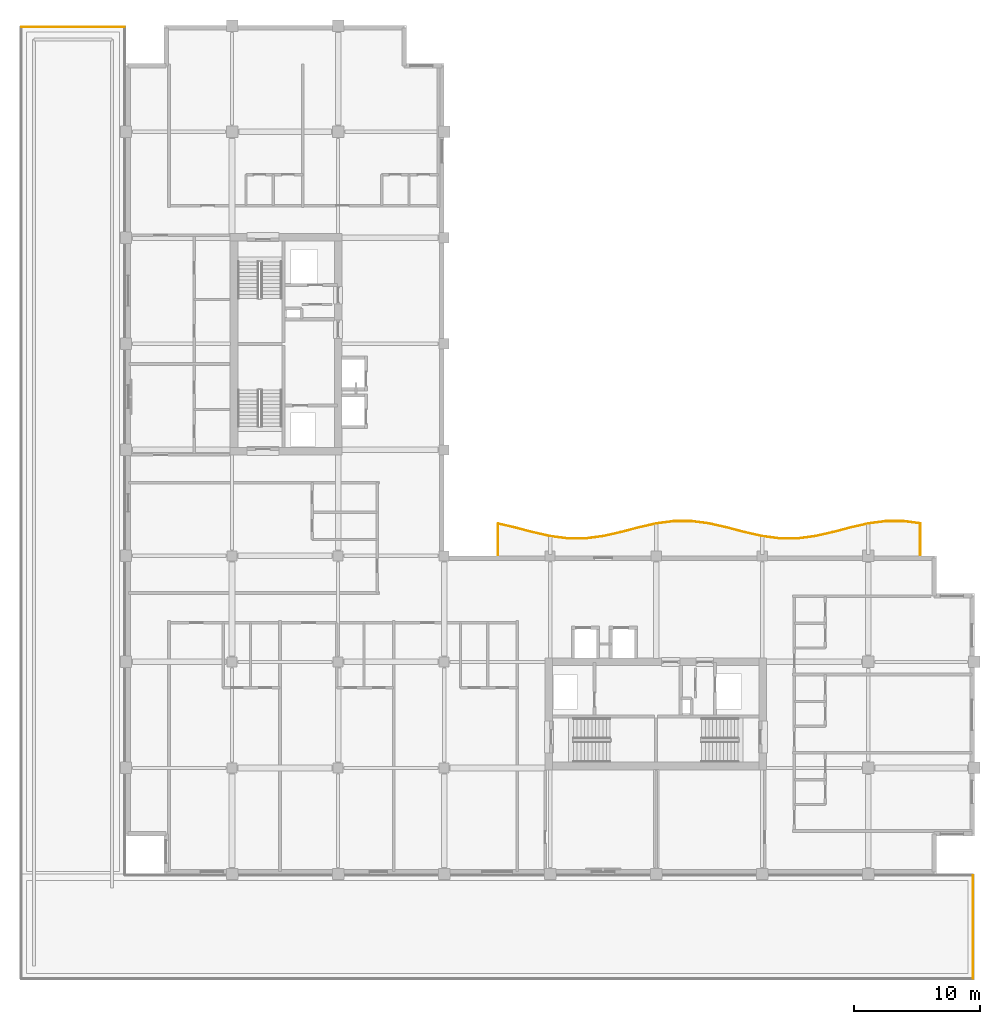
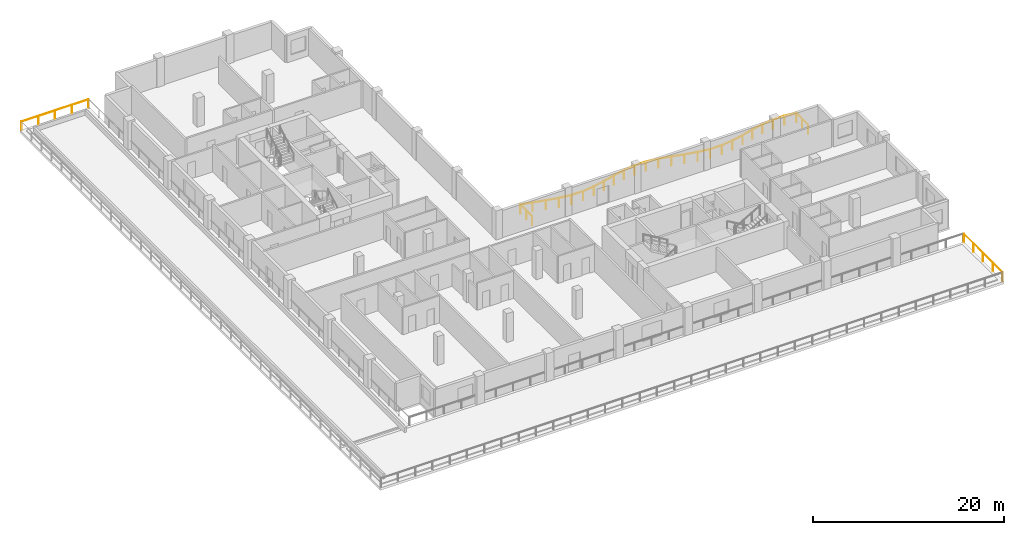
# One storey, part 13 of 13: 3 railings.
"""IFC4 building model written with IfcOpenShell, lengths in metres."""

from ifc_helpers import new_model, si_unit, direction, frame, origin, origin_2d, place, context, subcontext, project, spatial, circle, extrude, material, type_object, element, save


model = new_model("IFC4")

# Units and contexts
model_context = context("Model", 3, precision=1e-05, world=origin(), true_north=direction((0.0, 1.0)))
body_context = subcontext(model_context, "Body", "Model", "MODEL_VIEW")
ifc_project = project(units=[si_unit("LENGTHUNIT", "METRE"), si_unit("AREAUNIT", "SQUARE_METRE"), si_unit("VOLUMEUNIT", "CUBIC_METRE"), si_unit("PLANEANGLEUNIT", "RADIAN"), si_unit("MASSUNIT", "GRAM", prefix="KILO")], contexts=[model_context])

# Site, building, storey
site_placement = place(None, origin())
site = spatial("IfcSite", under=ifc_project, at=site_placement, CompositionType="ELEMENT")
building_placement = place(site_placement, origin())
building = spatial("IfcBuilding", under=site, at=building_placement, Name="Koriwani Terraces Tower", CompositionType="ELEMENT")
storey_placement = place(building_placement, frame((0.0, 0.0, 234.199951171875)))
storey = spatial("IfcBuildingStorey", under=building, at=storey_placement, Name="L57", CompositionType="ELEMENT", Elevation=234.199951171875)

# Railings
ifc_material = material(Name="Steel ASTM A572 Grade 50", Category="steel")
railing_type = type_object("IfcRailingType", Name="GUARD_BALUSTRADE_1150", PredefinedType="BALUSTRADE", material=ifc_material)
railing_1_placement = place(storey_placement, frame((71.320068359375, 33.679931640625, 0.0)))
element("IfcRailing", 1, at=railing_1_placement, inside=storey, type_object=railing_type, Name="L57 Balcony Perimeter Safety Balustrade (NE)", PredefinedType="BALUSTRADE", context=body_context, shape_type="SweptSolid", body=[
    extrude(circle(Radius=0.02392578125, at=origin_2d()), frame((0.0, 0.0, 1.1259765625), z_axis=(0.0, 1.0, 0.0), x_axis=(-1.0, 0.0, 0.0)), (0.0, 0.0, 1.0), 2.491943359375),
    extrude(circle(Radius=0.02392578125, at=origin_2d()), frame((0.0, 2.491943359375, 1.1259765625), z_axis=(-0.991506441664, 0.130057587779, 0.0), x_axis=(-0.130057587779, -0.991506441664, 0.0)), (0.0, 0.0, 1.0), 1.33642578125),
    extrude(circle(Radius=0.02392578125, at=origin_2d()), frame((-1.3251953125, 2.665771484375, 1.1259765625), z_axis=(-1.0, 0.0, 0.0), x_axis=(0.0, -1.0, 0.0)), (0.0, 0.0, 1.0), 1.3896484375),
    extrude(circle(Radius=0.02392578125, at=origin_2d()), frame((-2.71484375, 2.665771484375, 1.1259765625), z_axis=(-0.991493340479, -0.130157426935, 0.0), x_axis=(0.130157426935, -0.991493340479, 0.0)), (0.0, 0.0, 1.0), 1.403076171875),
    extrude(circle(Radius=0.02392578125, at=origin_2d()), frame((-4.10595703125, 2.483154296875, 1.1259765625), z_axis=(-0.975156320387, -0.221517834068, 0.0), x_axis=(0.221517834068, -0.975156320387, 0.0)), (0.0, 0.0, 1.0), 1.4306640625),
    extrude(circle(Radius=0.02392578125, at=origin_2d()), frame((-5.5009765625, 2.166259765625, 1.1259765625), z_axis=(-0.967207664387, -0.253986877518, 0.0), x_axis=(0.253986877518, -0.967207664387, 0.0)), (0.0, 0.0, 1.0), 1.447509765625),
    extrude(circle(Radius=0.02392578125, at=origin_2d()), frame((-6.901123046875, 1.798583984375, 1.1259765625), z_axis=(-0.975122866469, -0.221665052023, 0.0), x_axis=(0.221665052023, -0.975122866469, 0.0)), (0.0, 0.0, 1.0), 1.440673828125),
    extrude(circle(Radius=0.02392578125, at=origin_2d()), frame((-8.305908203125, 1.479248046875, 1.1259765625), z_axis=(-0.991528403605, -0.12989004906, 0.0), x_axis=(0.12989004906, -0.991528403605, 0.0)), (0.0, 0.0, 1.0), 1.4208984375),
    extrude(circle(Radius=0.02392578125, at=origin_2d()), frame((-9.71484375, 1.294677734375, 1.1259765625), z_axis=(-1.0, 0.0, 0.0), x_axis=(0.0, -1.0, 0.0)), (0.0, 0.0, 1.0), 1.410400390625),
    extrude(circle(Radius=0.02392578125, at=origin_2d()), frame((-11.125244140625, 1.294677734375, 1.1259765625), z_axis=(-0.991528403605, 0.12989004906, 0.0), x_axis=(-0.12989004906, -0.991528403605, 0.0)), (0.0, 0.0, 1.0), 1.4208984375),
    extrude(circle(Radius=0.02392578125, at=origin_2d()), frame((-12.5341796875, 1.479248046875, 1.1259765625), z_axis=(-0.975122866469, 0.221665052023, 0.0), x_axis=(-0.221665052023, -0.975122866469, 0.0)), (0.0, 0.0, 1.0), 1.440673828125),
    extrude(circle(Radius=0.02392578125, at=origin_2d()), frame((-13.93896484375, 1.798583984375, 1.1259765625), z_axis=(-0.967207664387, 0.253986877518, 0.0), x_axis=(-0.253986877518, -0.967207664387, 0.0)), (0.0, 0.0, 1.0), 1.447509765625),
    extrude(circle(Radius=0.02392578125, at=origin_2d()), frame((-15.339111328125, 2.166259765625, 1.1259765625), z_axis=(-0.975156320387, 0.221517834068, 0.0), x_axis=(-0.221517834068, -0.975156320387, 0.0)), (0.0, 0.0, 1.0), 1.4306640625),
    extrude(circle(Radius=0.02392578125, at=origin_2d()), frame((-16.734130859375, 2.483154296875, 1.1259765625), z_axis=(-0.991493340479, 0.130157426935, 0.0), x_axis=(-0.130157426935, -0.991493340479, 0.0)), (0.0, 0.0, 1.0), 1.403076171875),
    extrude(circle(Radius=0.02392578125, at=origin_2d()), frame((-18.125244140625, 2.665771484375, 1.1259765625), z_axis=(-1.0, 0.0, 0.0), x_axis=(0.0, -1.0, 0.0)), (0.0, 0.0, 1.0), 1.3896484375),
    extrude(circle(Radius=0.02392578125, at=origin_2d()), frame((-19.514892578125, 2.665771484375, 1.1259765625), z_axis=(-0.991493340479, -0.130157426935, 0.0), x_axis=(0.130157426935, -0.991493340479, 0.0)), (0.0, 0.0, 1.0), 1.403076171875),
    extrude(circle(Radius=0.02392578125, at=origin_2d()), frame((-20.906005859375, 2.483154296875, 1.1259765625), z_axis=(-0.975156320387, -0.221517834068, 0.0), x_axis=(0.221517834068, -0.975156320387, 0.0)), (0.0, 0.0, 1.0), 1.4306640625),
    extrude(circle(Radius=0.02392578125, at=origin_2d()), frame((-22.301025390625, 2.166259765625, 1.1259765625), z_axis=(-0.967207664387, -0.253986877518, 0.0), x_axis=(0.253986877518, -0.967207664387, 0.0)), (0.0, 0.0, 1.0), 1.447509765625),
    extrude(circle(Radius=0.02392578125, at=origin_2d()), frame((-23.701171875, 1.798583984375, 1.1259765625), z_axis=(-0.975122866469, -0.221665052023, 0.0), x_axis=(0.221665052023, -0.975122866469, 0.0)), (0.0, 0.0, 1.0), 1.440673828125),
    extrude(circle(Radius=0.02392578125, at=origin_2d()), frame((-25.10595703125, 1.479248046875, 1.1259765625), z_axis=(-0.991528403605, -0.12989004906, 0.0), x_axis=(0.12989004906, -0.991528403605, 0.0)), (0.0, 0.0, 1.0), 1.4208984375),
    extrude(circle(Radius=0.02392578125, at=origin_2d()), frame((-26.514892578125, 1.294677734375, 1.1259765625), z_axis=(-1.0, 0.0, 0.0), x_axis=(0.0, -1.0, 0.0)), (0.0, 0.0, 1.0), 1.410400390625),
    extrude(circle(Radius=0.02392578125, at=origin_2d()), frame((-27.92529296875, 1.294677734375, 1.1259765625), z_axis=(-0.991528403605, 0.12989004906, 0.0), x_axis=(-0.12989004906, -0.991528403605, 0.0)), (0.0, 0.0, 1.0), 1.4208984375),
    extrude(circle(Radius=0.02392578125, at=origin_2d()), frame((-29.334228515625, 1.479248046875, 1.1259765625), z_axis=(-0.975122866469, 0.221665052023, 0.0), x_axis=(-0.221665052023, -0.975122866469, 0.0)), (0.0, 0.0, 1.0), 1.440673828125),
    extrude(circle(Radius=0.02392578125, at=origin_2d()), frame((-30.739013671875, 1.798583984375, 1.1259765625), z_axis=(-0.967207664387, 0.253986877518, 0.0), x_axis=(-0.253986877518, -0.967207664387, 0.0)), (0.0, 0.0, 1.0), 1.447509765625),
    extrude(circle(Radius=0.02392578125, at=origin_2d()), frame((-32.13916015625, 2.166259765625, 1.1259765625), z_axis=(-0.97513824805, 0.221597376316, 0.0), x_axis=(-0.221597376316, -0.97513824805, 0.0)), (0.0, 0.0, 1.0), 1.334228515625),
    extrude(circle(Radius=0.02392578125, at=origin_2d()), frame((-33.440185546875, 2.4619140625, 1.1259765625), z_axis=(0.0, -1.0, 0.0), x_axis=(1.0, 0.0, 0.0)), (0.0, 0.0, 1.0), 2.4619140625),
    extrude(circle(Radius=0.02099609375, at=origin_2d()), origin(), (0.0, 0.0, 1.0), 1.101806640625),
    extrude(circle(Radius=0.02099609375, at=origin_2d()), frame((0.0, 1.24609375, 0.0)), (0.0, 0.0, 1.0), 1.101806640625),
    extrude(circle(Radius=0.02099609375, at=origin_2d()), frame((0.0, 2.491943359375, 0.0)), (0.0, 0.0, 1.0), 1.101806640625),
    extrude(circle(Radius=0.02099609375, at=origin_2d()), frame((-1.3251953125, 2.665771484375, 0.0)), (0.0, 0.0, 1.0), 1.101806640625),
    extrude(circle(Radius=0.02099609375, at=origin_2d()), frame((-2.71484375, 2.665771484375, 0.0)), (0.0, 0.0, 1.0), 1.101806640625),
    extrude(circle(Radius=0.02099609375, at=origin_2d()), frame((-4.10595703125, 2.483154296875, 0.0)), (0.0, 0.0, 1.0), 1.101806640625),
    extrude(circle(Radius=0.02099609375, at=origin_2d()), frame((-5.5009765625, 2.166259765625, 0.0)), (0.0, 0.0, 1.0), 1.101806640625),
    extrude(circle(Radius=0.02099609375, at=origin_2d()), frame((-6.901123046875, 1.798583984375, 0.0)), (0.0, 0.0, 1.0), 1.101806640625),
    extrude(circle(Radius=0.02099609375, at=origin_2d()), frame((-8.305908203125, 1.479248046875, 0.0)), (0.0, 0.0, 1.0), 1.101806640625),
    extrude(circle(Radius=0.02099609375, at=origin_2d()), frame((-9.71484375, 1.294677734375, 0.0)), (0.0, 0.0, 1.0), 1.101806640625),
    extrude(circle(Radius=0.02099609375, at=origin_2d()), frame((-11.125244140625, 1.294677734375, 0.0)), (0.0, 0.0, 1.0), 1.101806640625),
    extrude(circle(Radius=0.02099609375, at=origin_2d()), frame((-12.5341796875, 1.479248046875, 0.0)), (0.0, 0.0, 1.0), 1.101806640625),
    extrude(circle(Radius=0.02099609375, at=origin_2d()), frame((-13.93896484375, 1.798583984375, 0.0)), (0.0, 0.0, 1.0), 1.101806640625),
    extrude(circle(Radius=0.02099609375, at=origin_2d()), frame((-15.339111328125, 2.166259765625, 0.0)), (0.0, 0.0, 1.0), 1.101806640625),
    extrude(circle(Radius=0.02099609375, at=origin_2d()), frame((-16.734130859375, 2.483154296875, 0.0)), (0.0, 0.0, 1.0), 1.101806640625),
    extrude(circle(Radius=0.02099609375, at=origin_2d()), frame((-18.125244140625, 2.665771484375, 0.0)), (0.0, 0.0, 1.0), 1.101806640625),
    extrude(circle(Radius=0.02099609375, at=origin_2d()), frame((-19.514892578125, 2.665771484375, 0.0)), (0.0, 0.0, 1.0), 1.101806640625),
    extrude(circle(Radius=0.02099609375, at=origin_2d()), frame((-20.906005859375, 2.483154296875, 0.0)), (0.0, 0.0, 1.0), 1.101806640625),
    extrude(circle(Radius=0.02099609375, at=origin_2d()), frame((-22.301025390625, 2.166259765625, 0.0)), (0.0, 0.0, 1.0), 1.101806640625),
    extrude(circle(Radius=0.02099609375, at=origin_2d()), frame((-23.701171875, 1.798583984375, 0.0)), (0.0, 0.0, 1.0), 1.101806640625),
    extrude(circle(Radius=0.02099609375, at=origin_2d()), frame((-25.10595703125, 1.479248046875, 0.0)), (0.0, 0.0, 1.0), 1.101806640625),
    extrude(circle(Radius=0.02099609375, at=origin_2d()), frame((-26.514892578125, 1.294677734375, 0.0)), (0.0, 0.0, 1.0), 1.101806640625),
    extrude(circle(Radius=0.02099609375, at=origin_2d()), frame((-27.92529296875, 1.294677734375, 0.0)), (0.0, 0.0, 1.0), 1.101806640625),
    extrude(circle(Radius=0.02099609375, at=origin_2d()), frame((-29.334228515625, 1.479248046875, 0.0)), (0.0, 0.0, 1.0), 1.101806640625),
    extrude(circle(Radius=0.02099609375, at=origin_2d()), frame((-30.739013671875, 1.798583984375, 0.0)), (0.0, 0.0, 1.0), 1.101806640625),
    extrude(circle(Radius=0.02099609375, at=origin_2d()), frame((-32.13916015625, 2.166259765625, 0.0)), (0.0, 0.0, 1.0), 1.101806640625),
    extrude(circle(Radius=0.02099609375, at=origin_2d()), frame((-33.440185546875, 2.4619140625, 0.0)), (0.0, 0.0, 1.0), 1.101806640625),
    extrude(circle(Radius=0.02099609375, at=origin_2d()), frame((-33.440185546875, 1.23095703125, 0.0)), (0.0, 0.0, 1.0), 1.101806640625),
    extrude(circle(Radius=0.02099609375, at=origin_2d()), frame((-33.440185546875, 0.0, 0.0)), (0.0, 0.0, 1.0), 1.101806640625),
])
railing_2_placement = place(storey_placement, frame((0.135009765625, 75.5, 0.0)))
element("IfcRailing", 2, at=railing_2_placement, inside=storey, type_object=railing_type, Name="L57 Setback Sky-Garden Terrace Balustrade Segment 2", PredefinedType="BALUSTRADE", context=body_context, shape_type="SweptSolid", body=[
    extrude(circle(Radius=0.02490234375, at=origin_2d()), frame((0.0, 0.0, 1.125), z_axis=(1.0, 0.0, 0.0), x_axis=(0.0, 1.0, 0.0)), (0.0, 0.0, 1.0), 8.1298828125),
    extrude(circle(Radius=0.0224609375, at=origin_2d()), origin(), (0.0, 0.0, 1.0), 1.099853515625),
    extrude(circle(Radius=0.0224609375, at=origin_2d()), frame((2.032470703125, 0.0, 0.0)), (0.0, 0.0, 1.0), 1.099853515625),
    extrude(circle(Radius=0.0224609375, at=origin_2d()), frame((4.06494140625, 0.0, 0.0)), (0.0, 0.0, 1.0), 1.099853515625),
    extrude(circle(Radius=0.0224609375, at=origin_2d()), frame((6.097412109375, 0.0, 0.0)), (0.0, 0.0, 1.0), 1.099853515625),
    extrude(circle(Radius=0.0224609375, at=origin_2d()), frame((8.1298828125, 0.0, 0.0)), (0.0, 0.0, 1.0), 1.099853515625),
])
railing_3_placement = place(storey_placement, frame((75.5, 8.264892578125, 0.0)))
element("IfcRailing", 3, at=railing_3_placement, inside=storey, type_object=railing_type, Name="L57 Setback Sky-Garden Terrace Balustrade Segment 5", PredefinedType="BALUSTRADE", context=body_context, shape_type="SweptSolid", body=[
    extrude(circle(Radius=0.02490234375, at=origin_2d()), frame((0.0, 0.0, 1.125), z_axis=(0.0, -1.0, 0.0), x_axis=(1.0, 0.0, 0.0)), (0.0, 0.0, 1.0), 8.1298828125),
    extrude(circle(Radius=0.0224609375, at=origin_2d()), origin(), (0.0, 0.0, 1.0), 1.099853515625),
    extrude(circle(Radius=0.0224609375, at=origin_2d()), frame((0.0, -2.032470703125, 0.0)), (0.0, 0.0, 1.0), 1.099853515625),
    extrude(circle(Radius=0.0224609375, at=origin_2d()), frame((0.0, -4.06494140625, 0.0)), (0.0, 0.0, 1.0), 1.099853515625),
    extrude(circle(Radius=0.0224609375, at=origin_2d()), frame((0.0, -6.097412109375, 0.0)), (0.0, 0.0, 1.0), 1.099853515625),
    extrude(circle(Radius=0.0224609375, at=origin_2d()), frame((0.0, -8.1298828125, 0.0)), (0.0, 0.0, 1.0), 1.099853515625),
])

save(model, "model.ifc")
